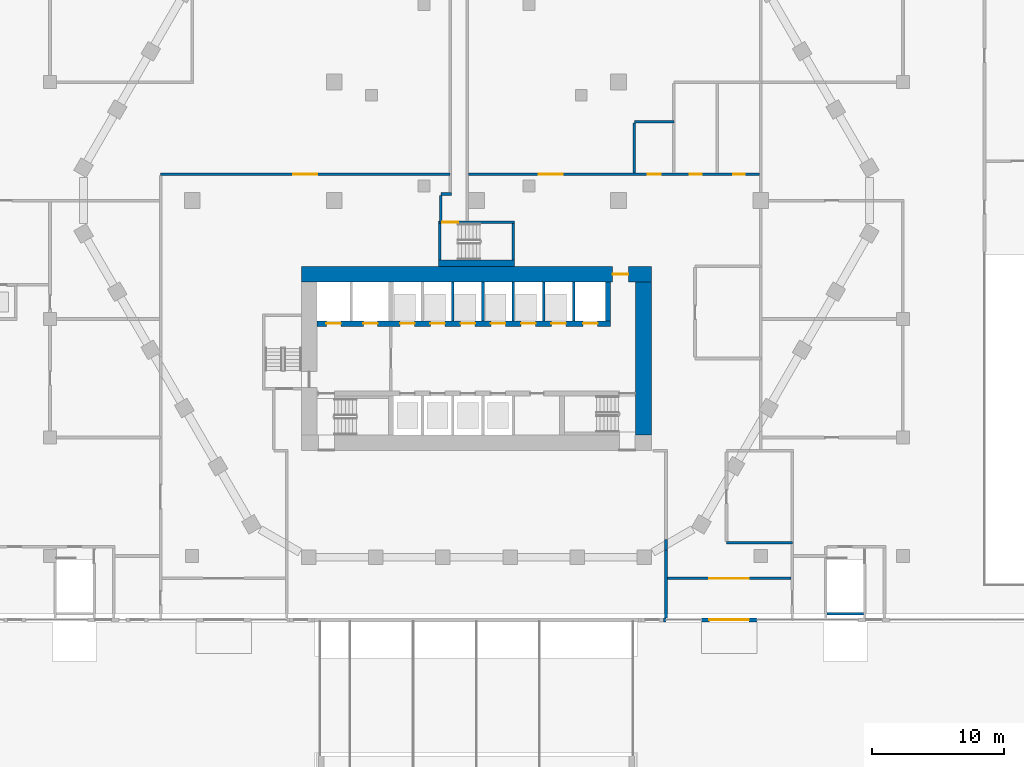
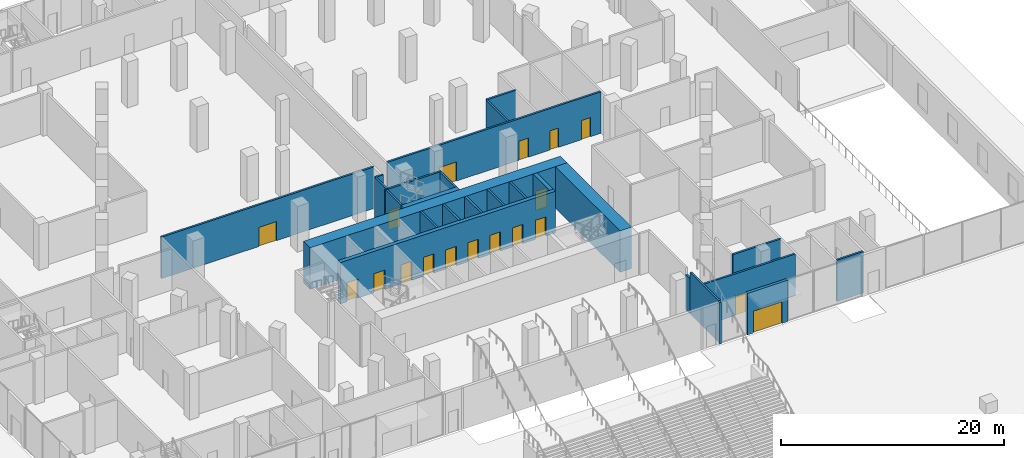
# One storey, part 23 of 57: 26 walls, 18 doors, 18 openings.
"""IFC4 building model written with IfcOpenShell, lengths in metres."""

from ifc_helpers import new_model, si_unit, direction, frame, frame_2d, origin, place, context, subcontext, project, spatial, rectangle, extrude, material, layer, layer_set, type_object, element, fill, save


model = new_model("IFC4")

# Units and contexts
model_context = context("Model", 3, precision=1e-05, world=origin(), true_north=direction((0.0, 1.0)))
body_context = subcontext(model_context, "Body", "Model", "MODEL_VIEW")
ifc_project = project(units=[si_unit("LENGTHUNIT", "METRE"), si_unit("AREAUNIT", "SQUARE_METRE"), si_unit("VOLUMEUNIT", "CUBIC_METRE"), si_unit("PLANEANGLEUNIT", "RADIAN"), si_unit("MASSUNIT", "GRAM", prefix="KILO")], contexts=[model_context])

# Site, building, storey
site_placement = place(None, origin())
site = spatial("IfcSite", under=ifc_project, at=site_placement, CompositionType="ELEMENT")
building_placement = place(site_placement, origin())
building = spatial("IfcBuilding", under=site, at=building_placement, Name="Beryl Residences", CompositionType="ELEMENT")
storey_placement = place(building_placement, origin())
storey = spatial("IfcBuildingStorey", under=building, at=storey_placement, Name="L00", CompositionType="ELEMENT", Elevation=0.0)

# Wall
ifc_material_1 = material(Name="Composite metal panel with mineral wool insulation")
ifc_layer_1 = layer(ifc_material_1, 0.300048828125)
ifc_layer_set_1 = layer_set([ifc_layer_1], Name="ES1 pale metal composite panel wall 300 mm")
wall_type_1 = type_object("IfcWallType", Name="ES1 pale metal composite panel wall 300 mm", PredefinedType="SOLIDWALL", material=ifc_layer_set_1)
wall_1_placement = place(storey_placement, frame((14.199951171875, -31.85009765625, 0.0), z_axis=(0.0, 0.0, 1.0), x_axis=(1.0, 0.0, 0.0)))
element("IfcWall", 1, at=wall_1_placement, inside=storey, type_object=wall_type_1, Name="ES1 external wall L00 S 20", PredefinedType="SOLIDWALL", context=body_context, shape_type="SweptSolid", body=[
    extrude(rectangle(XDim=0.199951171875, YDim=0.300048828125, at=frame_2d((0.10009765625, 0.0))), origin(), (0.0, 0.0, 1.0), 4.550048828125),
])

# Wall, opening, door
wall_2_placement = place(storey_placement, frame((17.10009765625, -31.85009765625, 0.0), z_axis=(0.0, 0.0, 1.0), x_axis=(1.0, 0.0, 0.0)))
wall_2 = element("IfcWall", 2, at=wall_2_placement, inside=storey, type_object=wall_type_1, Name="ES1 entrance wall L00 S", PredefinedType="SOLIDWALL", context=body_context, shape_type="SweptSolid", body=[
    extrude(rectangle(XDim=4.199951171875, YDim=0.300048828125, at=frame_2d((2.10009765625, 0.0))), origin(), (0.0, 0.0, 1.0), 4.550048828125),
])
opening_1_placement = place(wall_2_placement, frame((0.60009765625, 0.0, 0.0)))
opening_1 = element("IfcOpeningElement", 3, at=opening_1_placement, cuts=wall_2, Name="Opening ED1", PredefinedType="OPENING", context=body_context, shape_type="SweptSolid", body=[
    extrude(rectangle(XDim=3.0, YDim=2.39990234375, at=frame_2d((1.5, 1.199951171875))), frame((0.0, 0.159912109375, 0.0), z_axis=(0.0, -1.0, 0.0), x_axis=(1.0, 0.0, 0.0)), (0.0, 0.0, 1.0), 0.320068359375),
])
ifc_material_2 = material(Name="Aluminium and clear glass", Category="aluminium")
door_type_1 = type_object("IfcDoorType", Name="ED1 entrance sliding door 3000 x 2400 mm", OperationType="DOUBLE_DOOR_SLIDING", PredefinedType="DOOR", material=ifc_material_2)
door_1_placement = place(opening_1_placement, origin())
door_1 = element("IfcDoor", 4, at=door_1_placement, inside=storey, type_object=door_type_1, Name="ED1 entrance door L00 S", OperationType="DOUBLE_DOOR_SLIDING", OverallHeight=2.39990234375, OverallWidth=3.0, PredefinedType="DOOR", context=body_context, shape_type="SweptSolid", body=[
    extrude(rectangle(XDim=3.0, YDim=2.39990234375, at=frame_2d((1.5, 1.199951171875))), frame((0.0, 0.02490234375, 0.0), z_axis=(0.0, -1.0, 0.0), x_axis=(1.0, 0.0, 0.0)), (0.0, 0.0, 1.0), 0.050048828125),
])
fill(opening_1, door_1)

# Walls
ifc_material_3 = material(Name="Cement board with tiles")
ifc_layer_2 = layer(ifc_material_3, 0.199951171875)
ifc_layer_set_2 = layer_set([ifc_layer_2], Name="PT11-200 wet area wall 200 mm")
wall_type_2 = type_object("IfcWallType", Name="PT11-200 wet area wall 200 mm", PredefinedType="PARTITIONING", material=ifc_layer_set_2)
wall_3_placement = place(storey_placement, frame((12.0, 6.0, 0.0), z_axis=(0.0, 0.0, 1.0), x_axis=(1.0, 0.0, 0.0)))
element("IfcWall", 5, at=wall_3_placement, inside=storey, type_object=wall_type_2, Name="Wall PT11-200 L00 001", PredefinedType="PARTITIONING", context=body_context, shape_type="SweptSolid", body=[
    extrude(rectangle(XDim=3.0, YDim=0.199951171875, at=frame_2d((1.5, 0.0))), origin(), (0.0, 0.0, 1.0), 4.550048828125),
])
wall_4_placement = place(storey_placement, frame((12.0, 2.10009765625, 0.0), z_axis=(0.0, 0.0, 1.0), x_axis=(0.0, 1.0, 0.0)))
element("IfcWall", 6, at=wall_4_placement, inside=storey, type_object=wall_type_2, Name="Wall PT11-200 L00 006", PredefinedType="PARTITIONING", context=body_context, shape_type="SweptSolid", body=[
    extrude(rectangle(XDim=3.7998046875, YDim=0.199951171875, at=frame_2d((1.89990234375, 0.0))), origin(), (0.0, 0.0, 1.0), 4.550048828125),
])

# Wall, opening, door
ifc_material_4 = material(Name="Double stud gypsum board wall")
ifc_layer_3 = layer(ifc_material_4, 0.199951171875)
ifc_layer_set_3 = layer_set([ifc_layer_3], Name="PT4 corridor wall 200 mm double stud")
wall_type_3 = type_object("IfcWallType", Name="PT4 corridor wall 200 mm double stud", PredefinedType="PARTITIONING", material=ifc_layer_set_3)
wall_5_placement = place(storey_placement, frame((14.5, -28.699951171875, 0.0), z_axis=(0.0, 0.0, 1.0), x_axis=(1.0, 0.0, 0.0)))
wall_5 = element("IfcWall", 7, at=wall_5_placement, inside=storey, type_object=wall_type_3, Name="Wall PT4 L00 002", PredefinedType="PARTITIONING", context=body_context, shape_type="SweptSolid", body=[
    extrude(rectangle(XDim=9.39990234375, YDim=0.199951171875, at=frame_2d((4.699951171875, 0.0))), origin(), (0.0, 0.0, 1.0), 4.550048828125),
])
opening_2_placement = place(wall_5_placement, frame((3.199951171875, 0.0, 0.0)))
opening_2 = element("IfcOpeningElement", 8, at=opening_2_placement, cuts=wall_5, Name="Opening ED2-2", PredefinedType="OPENING", context=body_context, shape_type="SweptSolid", body=[
    extrude(rectangle(XDim=3.0, YDim=2.10009765625, at=frame_2d((1.5, 1.050048828125))), frame((0.0, 0.10986328125, 0.0), z_axis=(0.0, -1.0, 0.0), x_axis=(1.0, 0.0, 0.0)), (0.0, 0.0, 1.0), 0.219970703125),
])
ifc_material_5 = material(Name="Glazed doors in aluminium frame", Category="aluminium")
door_type_2 = type_object("IfcDoorType", Name="GLD1 glazed double door 3000 x 2100 mm", OperationType="DOUBLE_DOOR_SINGLE_SWING", PredefinedType="DOOR", material=ifc_material_5)
door_2_placement = place(opening_2_placement, origin())
door_2 = element("IfcDoor", 9, at=door_2_placement, inside=storey, type_object=door_type_2, Name="Door ED2-2 L00 001", OperationType="DOUBLE_DOOR_SINGLE_SWING", OverallHeight=2.10009765625, OverallWidth=3.0, PredefinedType="DOOR", context=body_context, shape_type="SweptSolid", body=[
    extrude(rectangle(XDim=3.0, YDim=2.10009765625, at=frame_2d((1.5, 1.050048828125))), frame((0.0, 0.02490234375, 0.0), z_axis=(0.0, -1.0, 0.0), x_axis=(1.0, 0.0, 0.0)), (0.0, 0.0, 1.0), 0.050048828125),
])
fill(opening_2, door_2)

wall_6_placement = place(storey_placement, frame((-24.0, 2.0, 0.0), z_axis=(0.0, 0.0, 1.0), x_axis=(1.0, 0.0, 0.0)))
wall_6 = element("IfcWall", 10, at=wall_6_placement, inside=storey, type_object=wall_type_3, Name="Wall PT4 L00 008", PredefinedType="PARTITIONING", context=body_context, shape_type="SweptSolid", body=[
    extrude(rectangle(XDim=22.0, YDim=0.199951171875, at=frame_2d((11.0, 0.0))), origin(), (0.0, 0.0, 1.0), 4.550048828125),
])
opening_3_placement = place(wall_6_placement, frame((10.09912109375, 0.0, 0.0)))
opening_3 = element("IfcOpeningElement", 11, at=opening_3_placement, cuts=wall_6, Name="Opening L00-11", PredefinedType="OPENING", context=body_context, shape_type="SweptSolid", body=[
    extrude(rectangle(XDim=1.800048828125, YDim=2.10009765625, at=frame_2d((0.89990234375, 1.050048828125))), frame((0.0, 0.10986328125, 0.0), z_axis=(0.0, -1.0, 0.0), x_axis=(1.0, 0.0, 0.0)), (0.0, 0.0, 1.0), 0.219970703125),
])
ifc_material_6 = material(Name="Timber door leaf", Category="wood")
door_type_3 = type_object("IfcDoorType", Name="D20 corridor door 1800 x 2100 mm", OperationType="DOUBLE_DOOR_SINGLE_SWING", PredefinedType="DOOR", material=ifc_material_6)
door_3_placement = place(opening_3_placement, origin())
door_3 = element("IfcDoor", 12, at=door_3_placement, inside=storey, type_object=door_type_3, Name="Door L00-11 L00 001", OperationType="DOUBLE_DOOR_SINGLE_SWING", OverallHeight=2.10009765625, OverallWidth=1.800048828125, PredefinedType="DOOR", context=body_context, shape_type="SweptSolid", body=[
    extrude(rectangle(XDim=1.800048828125, YDim=2.10009765625, at=frame_2d((0.89990234375, 1.050048828125))), frame((0.0, 0.02490234375, 0.0), z_axis=(0.0, -1.0, 0.0), x_axis=(1.0, 0.0, 0.0)), (0.0, 0.0, 1.0), 0.050048828125),
])
fill(opening_3, door_3)

# Wall, openings, doors
wall_7_placement = place(storey_placement, frame((-0.60009765625, 2.0, 0.0), z_axis=(0.0, 0.0, 1.0), x_axis=(1.0, 0.0, 0.0)))
wall_7 = element("IfcWall", 13, at=wall_7_placement, inside=storey, type_object=wall_type_3, Name="Wall PT4 L00 009", PredefinedType="PARTITIONING", context=body_context, shape_type="SweptSolid", body=[
    extrude(rectangle(XDim=22.10009765625, YDim=0.199951171875, at=frame_2d((11.050048828125, 0.0))), origin(), (0.0, 0.0, 1.0), 4.550048828125),
])
opening_4_placement = place(wall_7_placement, frame((13.60009765625, 0.0, 0.0)))
opening_4 = element("IfcOpeningElement", 14, at=opening_4_placement, cuts=wall_7, Name="Opening L00-07", PredefinedType="OPENING", context=body_context, shape_type="SweptSolid", body=[
    extrude(rectangle(XDim=1.0, YDim=2.10009765625, at=frame_2d((0.5, 1.050048828125))), frame((0.0, 0.10986328125, 0.0), z_axis=(0.0, -1.0, 0.0), x_axis=(1.0, 0.0, 0.0)), (0.0, 0.0, 1.0), 0.219970703125),
])
opening_5_placement = place(wall_7_placement, frame((16.800048828125, 0.0, 0.0)))
opening_5 = element("IfcOpeningElement", 15, at=opening_5_placement, cuts=wall_7, Name="Opening L00-08", PredefinedType="OPENING", context=body_context, shape_type="SweptSolid", body=[
    extrude(rectangle(XDim=0.89990234375, YDim=2.10009765625, at=frame_2d((0.449951171875, 1.050048828125))), frame((0.0, 0.10986328125, 0.0), z_axis=(0.0, -1.0, 0.0), x_axis=(1.0, 0.0, 0.0)), (0.0, 0.0, 1.0), 0.219970703125),
])
opening_6_placement = place(wall_7_placement, frame((20.10009765625, 0.0, 0.0)))
opening_6 = element("IfcOpeningElement", 16, at=opening_6_placement, cuts=wall_7, Name="Opening L00-09", PredefinedType="OPENING", context=body_context, shape_type="SweptSolid", body=[
    extrude(rectangle(XDim=0.89990234375, YDim=2.10009765625, at=frame_2d((0.449951171875, 1.050048828125))), frame((0.0, 0.10986328125, 0.0), z_axis=(0.0, -1.0, 0.0), x_axis=(1.0, 0.0, 0.0)), (0.0, 0.0, 1.0), 0.219970703125),
])
opening_7_placement = place(wall_7_placement, frame((5.35009765625, 0.0, 0.0)))
opening_7 = element("IfcOpeningElement", 17, at=opening_7_placement, cuts=wall_7, Name="Opening L00-10", PredefinedType="OPENING", context=body_context, shape_type="SweptSolid", body=[
    extrude(rectangle(XDim=1.800048828125, YDim=2.10009765625, at=frame_2d((0.89990234375, 1.050048828125))), frame((0.0, 0.10986328125, 0.0), z_axis=(0.0, -1.0, 0.0), x_axis=(1.0, 0.0, 0.0)), (0.0, 0.0, 1.0), 0.219970703125),
])
ifc_material_7 = material(Name="Timber door leaf", Category="wood")
door_type_4 = type_object("IfcDoorType", Name="D19 room door 1000 x 2100 mm", OperationType="SINGLE_SWING_LEFT", PredefinedType="DOOR", material=ifc_material_7)
door_4_placement = place(opening_4_placement, origin())
door_4 = element("IfcDoor", 18, at=door_4_placement, inside=storey, type_object=door_type_4, Name="Door L00-07 L00 001", OperationType="SINGLE_SWING_LEFT", OverallHeight=2.10009765625, OverallWidth=1.0, PredefinedType="DOOR", context=body_context, shape_type="SweptSolid", body=[
    extrude(rectangle(XDim=1.0, YDim=2.10009765625, at=frame_2d((0.5, 1.050048828125))), frame((0.0, 0.02490234375, 0.0), z_axis=(0.0, -1.0, 0.0), x_axis=(1.0, 0.0, 0.0)), (0.0, 0.0, 1.0), 0.050048828125),
])
fill(opening_4, door_4)
ifc_material_8 = material(Name="Timber door leaf", Category="wood")
door_type_5 = type_object("IfcDoorType", Name="D2 room door 900 x 2100 mm", OperationType="SINGLE_SWING_LEFT", PredefinedType="DOOR", material=ifc_material_8)
door_5_placement = place(opening_5_placement, origin())
door_5 = element("IfcDoor", 19, at=door_5_placement, inside=storey, type_object=door_type_5, Name="Door L00-08 L00 001", OperationType="SINGLE_SWING_RIGHT", OverallHeight=2.10009765625, OverallWidth=0.89990234375, PredefinedType="DOOR", context=body_context, shape_type="SweptSolid", body=[
    extrude(rectangle(XDim=0.89990234375, YDim=2.10009765625, at=frame_2d((0.449951171875, 1.050048828125))), frame((0.0, 0.02490234375, 0.0), z_axis=(0.0, -1.0, 0.0), x_axis=(1.0, 0.0, 0.0)), (0.0, 0.0, 1.0), 0.050048828125),
])
fill(opening_5, door_5)
door_6_placement = place(opening_6_placement, origin())
door_6 = element("IfcDoor", 20, at=door_6_placement, inside=storey, type_object=door_type_5, Name="Door L00-09 L00 001", OperationType="SINGLE_SWING_LEFT", OverallHeight=2.10009765625, OverallWidth=0.89990234375, PredefinedType="DOOR", context=body_context, shape_type="SweptSolid", body=[
    extrude(rectangle(XDim=0.89990234375, YDim=2.10009765625, at=frame_2d((0.449951171875, 1.050048828125))), frame((0.0, 0.02490234375, 0.0), z_axis=(0.0, -1.0, 0.0), x_axis=(1.0, 0.0, 0.0)), (0.0, 0.0, 1.0), 0.050048828125),
])
fill(opening_6, door_6)
door_7_placement = place(opening_7_placement, origin())
door_7 = element("IfcDoor", 21, at=door_7_placement, inside=storey, type_object=door_type_3, Name="Door L00-10 L00 001", OperationType="DOUBLE_DOOR_SINGLE_SWING", OverallHeight=2.10009765625, OverallWidth=1.800048828125, PredefinedType="DOOR", context=body_context, shape_type="SweptSolid", body=[
    extrude(rectangle(XDim=1.800048828125, YDim=2.10009765625, at=frame_2d((0.89990234375, 1.050048828125))), frame((0.0, 0.02490234375, 0.0), z_axis=(0.0, -1.0, 0.0), x_axis=(1.0, 0.0, 0.0)), (0.0, 0.0, 1.0), 0.050048828125),
])
fill(opening_7, door_7)

# Wall, opening, door
ifc_material_9 = material(Name="Concrete C40/50", Category="concrete")
ifc_layer_4 = layer(ifc_material_9, 0.199951171875)
ifc_layer_set_4 = layer_set([ifc_layer_4], Name="PT5 stair enclosure wall 200 mm reinforced concrete C40/50")
wall_type_4 = type_object("IfcWallType", Name="PT5 stair enclosure wall 200 mm reinforced concrete C40/50", PredefinedType="SOLIDWALL", material=ifc_layer_set_4)
wall_8_placement = place(storey_placement, frame((-2.89990234375, -1.64990234375, 0.0), z_axis=(0.0, 0.0, 1.0), x_axis=(1.0, 0.0, 0.0)))
wall_8 = element("IfcWall", 22, at=wall_8_placement, inside=storey, type_object=wall_type_4, Name="Wall PT5 L00 001", PredefinedType="SOLIDWALL", context=body_context, shape_type="SweptSolid", body=[
    extrude(rectangle(XDim=5.7998046875, YDim=0.199951171875, at=frame_2d((2.89990234375, 0.0))), origin(), (0.0, 0.0, 1.0), 4.550048828125),
])
opening_8_placement = place(wall_8_placement, frame((0.300048828125, 0.0, 0.0)))
opening_8 = element("IfcOpeningElement", 23, at=opening_8_placement, cuts=wall_8, Name="Opening DS04", PredefinedType="OPENING", context=body_context, shape_type="SweptSolid", body=[
    extrude(rectangle(XDim=1.199951171875, YDim=2.10009765625, at=frame_2d((0.60009765625, 1.050048828125))), frame((0.0, 0.10986328125, 0.0), z_axis=(0.0, -1.0, 0.0), x_axis=(1.0, 0.0, 0.0)), (0.0, 0.0, 1.0), 0.219970703125),
])
ifc_material_10 = material(Name="Steel door leaf in steel frame", Category="steel")
door_type_6 = type_object("IfcDoorType", Name="D4 stair door 1200 x 2100 mm", OperationType="SINGLE_SWING_LEFT", PredefinedType="DOOR", material=ifc_material_10)
door_8_placement = place(opening_8_placement, origin())
door_8 = element("IfcDoor", 24, at=door_8_placement, inside=storey, type_object=door_type_6, Name="Door DS04 L00 001", OperationType="SINGLE_SWING_LEFT", OverallHeight=2.10009765625, OverallWidth=1.199951171875, PredefinedType="DOOR", context=body_context, shape_type="SweptSolid", body=[
    extrude(rectangle(XDim=1.199951171875, YDim=2.10009765625, at=frame_2d((0.60009765625, 1.050048828125))), frame((0.0, 0.02490234375, 0.0), z_axis=(0.0, -1.0, 0.0), x_axis=(1.0, 0.0, 0.0)), (0.0, 0.0, 1.0), 0.050048828125),
])
fill(opening_8, door_8)

# Walls
for number, where, z_axis, x_axis, name in (
    (25, (-2.800048828125, -4.5, 0.0), (0.0, 0.0, 1.0), (0.0, 1.0, 0.0), "Wall PT5 L00 002"),
    (26, (2.800048828125, -4.5, 0.0), (0.0, 0.0, 1.0), (0.0, 1.0, 0.0), "Wall PT5 L00 003"),
):
    element("IfcWall", number, at=place(storey_placement, frame(where, z_axis=z_axis, x_axis=x_axis)), inside=storey, type_object=wall_type_4, Name=name, PredefinedType="SOLIDWALL", context=body_context, shape_type="SweptSolid", body=[
        extrude(rectangle(XDim=2.75, YDim=0.199951171875, at=frame_2d((1.375, 0.0))), origin(), (0.0, 0.0, 1.0), 4.550048828125),
    ])
wall_9_placement = place(storey_placement, frame((-2.699951171875, 0.5, 0.0), z_axis=(0.0, 0.0, 1.0), x_axis=(1.0, 0.0, 0.0)))
element("IfcWall", 27, at=wall_9_placement, inside=storey, type_object=wall_type_4, Name="Wall PT5 L00 013", PredefinedType="SOLIDWALL", context=body_context, shape_type="SweptSolid", body=[
    extrude(rectangle(XDim=0.800048828125, YDim=0.199951171875, at=frame_2d((0.39990234375, 0.0))), origin(), (0.0, 0.0, 1.0), 4.550048828125),
])
wall_10_placement = place(storey_placement, frame((-2.699951171875, -1.6298828125, 0.0), z_axis=(0.0, 0.0, 1.0), x_axis=(0.0, 1.0, 0.0)))
element("IfcWall", 28, at=wall_10_placement, inside=storey, type_object=wall_type_4, Name="Wall PT5 L00 044", PredefinedType="SOLIDWALL", context=body_context, shape_type="SweptSolid", body=[
    extrude(rectangle(XDim=2.02978515625, YDim=0.199951171875, at=frame_2d((1.014892578125, 0.0))), origin(), (0.0, 0.0, 1.0), 4.550048828125),
])
wall_11_placement = place(storey_placement, frame((14.39990234375, -31.699951171875, 0.0), z_axis=(0.0, 0.0, 1.0), x_axis=(0.0, 1.0, 0.0)))
element("IfcWall", 29, at=wall_11_placement, inside=storey, type_object=wall_type_4, Name="Wall PT5 L00 051", PredefinedType="SOLIDWALL", context=body_context, shape_type="SweptSolid", body=[
    extrude(rectangle(XDim=5.141845703125, YDim=0.199951171875, at=frame_2d((2.57080078125, 0.0))), origin(), (0.0, 0.0, 1.0), 4.550048828125),
])
wall_12_placement = place(storey_placement, frame((14.39990234375, -26.55810546875, 0.0), z_axis=(0.0, 0.0, 1.0), x_axis=(0.0, 1.0, 0.0)))
element("IfcWall", 30, at=wall_12_placement, inside=storey, type_object=wall_type_4, Name="Wall PT5 L00 052", PredefinedType="SOLIDWALL", context=body_context, shape_type="SweptSolid", body=[
    extrude(rectangle(XDim=0.80908203125, YDim=0.199951171875, at=frame_2d((0.404541015625, 0.0))), origin(), (0.0, 0.0, 1.0), 3.820068359375),
])
wall_13_placement = place(storey_placement, frame((26.64990234375, -31.39990234375, 0.0), z_axis=(0.0, 0.0, 1.0), x_axis=(1.0, 0.0, 0.0)))
element("IfcWall", 31, at=wall_13_placement, inside=storey, type_object=wall_type_4, Name="Wall PT5 L00 074", PredefinedType="SOLIDWALL", context=body_context, shape_type="SweptSolid", body=[
    extrude(rectangle(XDim=2.75, YDim=0.199951171875, at=frame_2d((1.375, 0.0))), origin(), (0.0, 0.0, 1.0), 4.550048828125),
])
ifc_material_11 = material(Name="Concrete C40/50", Category="concrete")
ifc_layer_5 = layer(ifc_material_11, 0.5)
ifc_layer_set_5 = layer_set([ifc_layer_5], Name="PT5-500 stair enclosure wall 500 mm")
wall_type_5 = type_object("IfcWallType", Name="PT5-500 stair enclosure wall 500 mm", PredefinedType="SOLIDWALL", material=ifc_layer_set_5)
wall_14_placement = place(storey_placement, frame((-2.89990234375, -4.75, 0.0), z_axis=(0.0, 0.0, 1.0), x_axis=(1.0, 0.0, 0.0)))
element("IfcWall", 32, at=wall_14_placement, inside=storey, type_object=wall_type_5, Name="Wall PT5-500 L00 001", PredefinedType="SOLIDWALL", context=body_context, shape_type="SweptSolid", body=[
    extrude(rectangle(XDim=5.7998046875, YDim=0.5, at=frame_2d((2.89990234375, 0.0))), origin(), (0.0, 0.0, 1.0), 4.550048828125),
])
ifc_material_12 = material(Name="Concrete C40/50", Category="concrete")
ifc_layer_6 = layer(ifc_material_12, 0.199951171875)
ifc_layer_set_6 = layer_set([ifc_layer_6], Name="PT6 lift shaft wall 200 mm reinforced concrete C40/50")
wall_type_6 = type_object("IfcWallType", Name="PT6 lift shaft wall 200 mm reinforced concrete C40/50", PredefinedType="SOLIDWALL", material=ifc_layer_set_6)
for number, where, z_axis, x_axis, name in (
    (33, (-1.800048828125, -9.14990234375, 0.0), (0.0, 0.0, 1.0), (0.0, 1.0, 0.0), "Lift shaft wall 10"),
    (34, (0.5, -9.14990234375, 0.0), (0.0, 0.0, 1.0), (0.0, 1.0, 0.0), "Lift shaft wall 12"),
    (35, (2.800048828125, -9.14990234375, 0.0), (0.0, 0.0, 1.0), (0.0, 1.0, 0.0), "Lift shaft wall 14"),
    (36, (5.10009765625, -9.14990234375, 0.0), (0.0, 0.0, 1.0), (0.0, 1.0, 0.0), "Lift shaft wall 15"),
    (37, (7.39990234375, -9.14990234375, 0.0), (0.0, 0.0, 1.0), (0.0, 1.0, 0.0), "Lift shaft wall 17"),
):
    element("IfcWall", number, at=place(storey_placement, frame(where, z_axis=z_axis, x_axis=x_axis)), inside=storey, type_object=wall_type_6, Name=name, PredefinedType="SOLIDWALL", context=body_context, shape_type="SweptSolid", body=[
        extrude(rectangle(XDim=2.949951171875, YDim=0.199951171875, at=frame_2d((1.47509765625, 0.0))), origin(), (0.0, 0.0, 1.0), 4.550048828125),
    ])
ifc_material_13 = material(Name="Concrete masonry", Category="masonry")
ifc_layer_7 = layer(ifc_material_13, 0.199951171875)
ifc_layer_set_7 = layer_set([ifc_layer_7], Name="PT8-200 service room wall 200 mm")
wall_type_7 = type_object("IfcWallType", Name="PT8-200 service room wall 200 mm", PredefinedType="PARTITIONING", material=ifc_layer_set_7)
wall_15_placement = place(storey_placement, frame((19.0, -26.0, 0.0), z_axis=(0.0, 0.0, 1.0), x_axis=(1.0, 0.0, 0.0)))
element("IfcWall", 38, at=wall_15_placement, inside=storey, type_object=wall_type_7, Name="Wall PT8-200 L00 002", PredefinedType="PARTITIONING", context=body_context, shape_type="SweptSolid", body=[
    extrude(rectangle(XDim=5.0, YDim=0.199951171875, at=frame_2d((2.5, 0.0))), origin(), (0.0, 0.0, 1.0), 4.550048828125),
])

# Wall, opening, door
ifc_material_14 = material(Name="Concrete C80/95", Category="concrete")
ifc_layer_8 = layer(ifc_material_14, 1.199951171875)
ifc_layer_set_8 = layer_set([ifc_layer_8], Name="SW1 core outer wall 1200 mm C80/95")
wall_type_8 = type_object("IfcWallType", Name="SW1 core outer wall 1200 mm C80/95", PredefinedType="SHEAR", material=ifc_layer_set_8)
wall_16_placement = place(storey_placement, frame((-13.300048828125, -5.60009765625, 0.0), z_axis=(0.0, 0.0, 1.0), x_axis=(1.0, 0.0, 0.0)))
wall_16 = element("IfcWall", 39, at=wall_16_placement, inside=storey, type_object=wall_type_8, Name="Core wall N L00", PredefinedType="SHEAR", context=body_context, shape_type="SweptSolid", body=[
    extrude(rectangle(XDim=26.60009765625, YDim=1.199951171875, at=frame_2d((13.300048828125, 0.0))), origin(), (0.0, 0.0, 1.0), 4.550048828125),
])
opening_9_placement = place(wall_16_placement, frame((23.64990234375, 0.0, 0.0)))
opening_9 = element("IfcOpeningElement", 40, at=opening_9_placement, cuts=wall_16, Name="Opening FD-NORTH", PredefinedType="OPENING", context=body_context, shape_type="SweptSolid", body=[
    extrude(rectangle(XDim=1.199951171875, YDim=2.10009765625, at=frame_2d((0.60009765625, 1.050048828125))), frame((0.0, 0.60986328125, 0.0), z_axis=(0.0, -1.0, 0.0), x_axis=(1.0, 0.0, 0.0)), (0.0, 0.0, 1.0), 1.219970703125),
])
ifc_material_15 = material(Name="Steel door leaf in steel frame", Category="steel")
door_type_7 = type_object("IfcDoorType", Name="D22 lobby door 1200 x 2100 mm", OperationType="DOUBLE_DOOR_SINGLE_SWING", PredefinedType="DOOR", material=ifc_material_15)
door_9_placement = place(opening_9_placement, origin())
door_9 = element("IfcDoor", 41, at=door_9_placement, inside=storey, type_object=door_type_7, Name="Door FD-NORTH L00 001", OperationType="DOUBLE_DOOR_SINGLE_SWING", OverallHeight=2.10009765625, OverallWidth=1.199951171875, PredefinedType="DOOR", context=body_context, shape_type="SweptSolid", body=[
    extrude(rectangle(XDim=1.199951171875, YDim=2.10009765625, at=frame_2d((0.60009765625, 1.050048828125))), frame((0.0, 0.02490234375, 0.0), z_axis=(0.0, -1.0, 0.0), x_axis=(1.0, 0.0, 0.0)), (0.0, 0.0, 1.0), 0.050048828125),
])
fill(opening_9, door_9)

# Wall
wall_17_placement = place(storey_placement, frame((12.699951171875, -17.800048828125, 0.0), z_axis=(0.0, 0.0, 1.0), x_axis=(0.0, 1.0, 0.0)))
element("IfcWall", 42, at=wall_17_placement, inside=storey, type_object=wall_type_8, Name="Core wall E L00", PredefinedType="SHEAR", context=body_context, shape_type="SweptSolid", body=[
    extrude(rectangle(XDim=11.60009765625, YDim=1.199951171875, at=frame_2d((5.800048828125, 0.0))), origin(), (0.0, 0.0, 1.0), 4.550048828125),
])

# Wall, openings, doors
ifc_material_16 = material(Name="Concrete C80/95", Category="concrete")
ifc_layer_9 = layer(ifc_material_16, 0.39990234375)
ifc_layer_set_9 = layer_set([ifc_layer_9], Name="SW6 core internal wall 400 mm C80/95")
wall_type_9 = type_object("IfcWallType", Name="SW6 core internal wall 400 mm C80/95", PredefinedType="SHEAR", material=ifc_layer_set_9)
wall_18_placement = place(storey_placement, frame((-12.10009765625, -9.35009765625, 0.0), z_axis=(0.0, 0.0, 1.0), x_axis=(1.0, 0.0, 0.0)))
wall_18 = element("IfcWall", 43, at=wall_18_placement, inside=storey, type_object=wall_type_9, Name="Core wall SP2 L00", PredefinedType="SHEAR", context=body_context, shape_type="SweptSolid", body=[
    extrude(rectangle(XDim=22.300048828125, YDim=0.39990234375, at=frame_2d((11.14990234375, 0.0))), origin(), (0.0, 0.0, 1.0), 4.550048828125),
])
opening_10_placement = place(wall_18_placement, frame((0.699951171875, 0.0, 0.0)))
opening_10 = element("IfcOpeningElement", 44, at=opening_10_placement, cuts=wall_18, Name="Opening LD-FF1", PredefinedType="OPENING", context=body_context, shape_type="SweptSolid", body=[
    extrude(rectangle(XDim=1.10009765625, YDim=2.10009765625, at=frame_2d((0.550048828125, 1.050048828125))), frame((0.0, 0.2099609375, 0.0), z_axis=(0.0, -1.0, 0.0), x_axis=(1.0, 0.0, 0.0)), (0.0, 0.0, 1.0), 0.419921875),
])
opening_11_placement = place(wall_18_placement, frame((3.5, 0.0, 0.0)))
opening_11 = element("IfcOpeningElement", 45, at=opening_11_placement, cuts=wall_18, Name="Opening LD-FF2", PredefinedType="OPENING", context=body_context, shape_type="SweptSolid", body=[
    extrude(rectangle(XDim=1.10009765625, YDim=2.10009765625, at=frame_2d((0.550048828125, 1.050048828125))), frame((0.0, 0.2099609375, 0.0), z_axis=(0.0, -1.0, 0.0), x_axis=(1.0, 0.0, 0.0)), (0.0, 0.0, 1.0), 0.419921875),
])
opening_12_placement = place(wall_18_placement, frame((6.300048828125, 0.0, 0.0)))
opening_12 = element("IfcOpeningElement", 46, at=opening_12_placement, cuts=wall_18, Name="Opening LD-LR1", PredefinedType="OPENING", context=body_context, shape_type="SweptSolid", body=[
    extrude(rectangle(XDim=1.10009765625, YDim=2.10009765625, at=frame_2d((0.550048828125, 1.050048828125))), frame((0.0, 0.2099609375, 0.0), z_axis=(0.0, -1.0, 0.0), x_axis=(1.0, 0.0, 0.0)), (0.0, 0.0, 1.0), 0.419921875),
])
opening_13_placement = place(wall_18_placement, frame((8.60009765625, 0.0, 0.0)))
opening_13 = element("IfcOpeningElement", 47, at=opening_13_placement, cuts=wall_18, Name="Opening LD-LR2", PredefinedType="OPENING", context=body_context, shape_type="SweptSolid", body=[
    extrude(rectangle(XDim=1.10009765625, YDim=2.10009765625, at=frame_2d((0.550048828125, 1.050048828125))), frame((0.0, 0.2099609375, 0.0), z_axis=(0.0, -1.0, 0.0), x_axis=(1.0, 0.0, 0.0)), (0.0, 0.0, 1.0), 0.419921875),
])
opening_14_placement = place(wall_18_placement, frame((10.89990234375, 0.0, 0.0)))
opening_14 = element("IfcOpeningElement", 48, at=opening_14_placement, cuts=wall_18, Name="Opening LD-LR3", PredefinedType="OPENING", context=body_context, shape_type="SweptSolid", body=[
    extrude(rectangle(XDim=1.10009765625, YDim=2.10009765625, at=frame_2d((0.550048828125, 1.050048828125))), frame((0.0, 0.2099609375, 0.0), z_axis=(0.0, -1.0, 0.0), x_axis=(1.0, 0.0, 0.0)), (0.0, 0.0, 1.0), 0.419921875),
])
opening_15_placement = place(wall_18_placement, frame((13.199951171875, 0.0, 0.0)))
opening_15 = element("IfcOpeningElement", 49, at=opening_15_placement, cuts=wall_18, Name="Opening LD-LR4", PredefinedType="OPENING", context=body_context, shape_type="SweptSolid", body=[
    extrude(rectangle(XDim=1.10009765625, YDim=2.10009765625, at=frame_2d((0.550048828125, 1.050048828125))), frame((0.0, 0.2099609375, 0.0), z_axis=(0.0, -1.0, 0.0), x_axis=(1.0, 0.0, 0.0)), (0.0, 0.0, 1.0), 0.419921875),
])
opening_16_placement = place(wall_18_placement, frame((15.5, 0.0, 0.0)))
opening_16 = element("IfcOpeningElement", 50, at=opening_16_placement, cuts=wall_18, Name="Opening LD-LR5", PredefinedType="OPENING", context=body_context, shape_type="SweptSolid", body=[
    extrude(rectangle(XDim=1.10009765625, YDim=2.10009765625, at=frame_2d((0.550048828125, 1.050048828125))), frame((0.0, 0.2099609375, 0.0), z_axis=(0.0, -1.0, 0.0), x_axis=(1.0, 0.0, 0.0)), (0.0, 0.0, 1.0), 0.419921875),
])
opening_17_placement = place(wall_18_placement, frame((17.800048828125, 0.0, 0.0)))
opening_17 = element("IfcOpeningElement", 51, at=opening_17_placement, cuts=wall_18, Name="Opening LD-LR6", PredefinedType="OPENING", context=body_context, shape_type="SweptSolid", body=[
    extrude(rectangle(XDim=1.10009765625, YDim=2.10009765625, at=frame_2d((0.550048828125, 1.050048828125))), frame((0.0, 0.2099609375, 0.0), z_axis=(0.0, -1.0, 0.0), x_axis=(1.0, 0.0, 0.0)), (0.0, 0.0, 1.0), 0.419921875),
])
opening_18_placement = place(wall_18_placement, frame((20.199951171875, 0.0, 0.0)))
opening_18 = element("IfcOpeningElement", 52, at=opening_18_placement, cuts=wall_18, Name="Opening LD-SL1", PredefinedType="OPENING", context=body_context, shape_type="SweptSolid", body=[
    extrude(rectangle(XDim=1.10009765625, YDim=2.10009765625, at=frame_2d((0.550048828125, 1.050048828125))), frame((0.0, 0.2099609375, 0.0), z_axis=(0.0, -1.0, 0.0), x_axis=(1.0, 0.0, 0.0)), (0.0, 0.0, 1.0), 0.419921875),
])
ifc_material_17 = material(Name="Stainless steel sliding door", Category="steel")
door_type_8 = type_object("IfcDoorType", Name="LD1 lift landing door 1100 x 2100 mm", OperationType="DOUBLE_DOOR_SLIDING", PredefinedType="DOOR", material=ifc_material_17)
door_10_placement = place(opening_10_placement, origin())
door_10 = element("IfcDoor", 53, at=door_10_placement, inside=storey, type_object=door_type_8, Name="Lift landing door FF1", OperationType="DOUBLE_DOOR_SLIDING", OverallHeight=2.10009765625, OverallWidth=1.10009765625, PredefinedType="DOOR", context=body_context, shape_type="SweptSolid", body=[
    extrude(rectangle(XDim=1.10009765625, YDim=2.10009765625, at=frame_2d((0.550048828125, 1.050048828125))), frame((0.0, 0.02490234375, 0.0), z_axis=(0.0, -1.0, 0.0), x_axis=(1.0, 0.0, 0.0)), (0.0, 0.0, 1.0), 0.050048828125),
])
fill(opening_10, door_10)
door_11_placement = place(opening_11_placement, origin())
door_11 = element("IfcDoor", 54, at=door_11_placement, inside=storey, type_object=door_type_8, Name="Lift landing door FF2", OperationType="DOUBLE_DOOR_SLIDING", OverallHeight=2.10009765625, OverallWidth=1.10009765625, PredefinedType="DOOR", context=body_context, shape_type="SweptSolid", body=[
    extrude(rectangle(XDim=1.10009765625, YDim=2.10009765625, at=frame_2d((0.550048828125, 1.050048828125))), frame((0.0, 0.02490234375, 0.0), z_axis=(0.0, -1.0, 0.0), x_axis=(1.0, 0.0, 0.0)), (0.0, 0.0, 1.0), 0.050048828125),
])
fill(opening_11, door_11)
door_12_placement = place(opening_12_placement, origin())
door_12 = element("IfcDoor", 55, at=door_12_placement, inside=storey, type_object=door_type_8, Name="Lift landing door LR1", OperationType="DOUBLE_DOOR_SLIDING", OverallHeight=2.10009765625, OverallWidth=1.10009765625, PredefinedType="DOOR", context=body_context, shape_type="SweptSolid", body=[
    extrude(rectangle(XDim=1.10009765625, YDim=2.10009765625, at=frame_2d((0.550048828125, 1.050048828125))), frame((0.0, 0.02490234375, 0.0), z_axis=(0.0, -1.0, 0.0), x_axis=(1.0, 0.0, 0.0)), (0.0, 0.0, 1.0), 0.050048828125),
])
fill(opening_12, door_12)
door_13_placement = place(opening_13_placement, origin())
door_13 = element("IfcDoor", 56, at=door_13_placement, inside=storey, type_object=door_type_8, Name="Lift landing door LR2", OperationType="DOUBLE_DOOR_SLIDING", OverallHeight=2.10009765625, OverallWidth=1.10009765625, PredefinedType="DOOR", context=body_context, shape_type="SweptSolid", body=[
    extrude(rectangle(XDim=1.10009765625, YDim=2.10009765625, at=frame_2d((0.550048828125, 1.050048828125))), frame((0.0, 0.02490234375, 0.0), z_axis=(0.0, -1.0, 0.0), x_axis=(1.0, 0.0, 0.0)), (0.0, 0.0, 1.0), 0.050048828125),
])
fill(opening_13, door_13)
door_14_placement = place(opening_14_placement, origin())
door_14 = element("IfcDoor", 57, at=door_14_placement, inside=storey, type_object=door_type_8, Name="Lift landing door LR3", OperationType="DOUBLE_DOOR_SLIDING", OverallHeight=2.10009765625, OverallWidth=1.10009765625, PredefinedType="DOOR", context=body_context, shape_type="SweptSolid", body=[
    extrude(rectangle(XDim=1.10009765625, YDim=2.10009765625, at=frame_2d((0.550048828125, 1.050048828125))), frame((0.0, 0.02490234375, 0.0), z_axis=(0.0, -1.0, 0.0), x_axis=(1.0, 0.0, 0.0)), (0.0, 0.0, 1.0), 0.050048828125),
])
fill(opening_14, door_14)
door_15_placement = place(opening_15_placement, origin())
door_15 = element("IfcDoor", 58, at=door_15_placement, inside=storey, type_object=door_type_8, Name="Lift landing door LR4", OperationType="DOUBLE_DOOR_SLIDING", OverallHeight=2.10009765625, OverallWidth=1.10009765625, PredefinedType="DOOR", context=body_context, shape_type="SweptSolid", body=[
    extrude(rectangle(XDim=1.10009765625, YDim=2.10009765625, at=frame_2d((0.550048828125, 1.050048828125))), frame((0.0, 0.02490234375, 0.0), z_axis=(0.0, -1.0, 0.0), x_axis=(1.0, 0.0, 0.0)), (0.0, 0.0, 1.0), 0.050048828125),
])
fill(opening_15, door_15)
door_16_placement = place(opening_16_placement, origin())
door_16 = element("IfcDoor", 59, at=door_16_placement, inside=storey, type_object=door_type_8, Name="Lift landing door LR5", OperationType="DOUBLE_DOOR_SLIDING", OverallHeight=2.10009765625, OverallWidth=1.10009765625, PredefinedType="DOOR", context=body_context, shape_type="SweptSolid", body=[
    extrude(rectangle(XDim=1.10009765625, YDim=2.10009765625, at=frame_2d((0.550048828125, 1.050048828125))), frame((0.0, 0.02490234375, 0.0), z_axis=(0.0, -1.0, 0.0), x_axis=(1.0, 0.0, 0.0)), (0.0, 0.0, 1.0), 0.050048828125),
])
fill(opening_16, door_16)
door_17_placement = place(opening_17_placement, origin())
door_17 = element("IfcDoor", 60, at=door_17_placement, inside=storey, type_object=door_type_8, Name="Lift landing door LR6", OperationType="DOUBLE_DOOR_SLIDING", OverallHeight=2.10009765625, OverallWidth=1.10009765625, PredefinedType="DOOR", context=body_context, shape_type="SweptSolid", body=[
    extrude(rectangle(XDim=1.10009765625, YDim=2.10009765625, at=frame_2d((0.550048828125, 1.050048828125))), frame((0.0, 0.02490234375, 0.0), z_axis=(0.0, -1.0, 0.0), x_axis=(1.0, 0.0, 0.0)), (0.0, 0.0, 1.0), 0.050048828125),
])
fill(opening_17, door_17)
door_18_placement = place(opening_18_placement, origin())
door_18 = element("IfcDoor", 61, at=door_18_placement, inside=storey, type_object=door_type_8, Name="Lift landing door SL1", OperationType="DOUBLE_DOOR_SLIDING", OverallHeight=2.10009765625, OverallWidth=1.10009765625, PredefinedType="DOOR", context=body_context, shape_type="SweptSolid", body=[
    extrude(rectangle(XDim=1.10009765625, YDim=2.10009765625, at=frame_2d((0.550048828125, 1.050048828125))), frame((0.0, 0.02490234375, 0.0), z_axis=(0.0, -1.0, 0.0), x_axis=(1.0, 0.0, 0.0)), (0.0, 0.0, 1.0), 0.050048828125),
])
fill(opening_18, door_18)

# Wall
wall_19_placement = place(storey_placement, frame((10.0, -9.14990234375, 0.0), z_axis=(0.0, 0.0, 1.0), x_axis=(0.0, 1.0, 0.0)))
element("IfcWall", 62, at=wall_19_placement, inside=storey, type_object=wall_type_9, Name="Core wall XN2 L00", PredefinedType="SHEAR", context=body_context, shape_type="SweptSolid", body=[
    extrude(rectangle(XDim=2.949951171875, YDim=0.39990234375, at=frame_2d((1.47509765625, 0.0))), origin(), (0.0, 0.0, 1.0), 4.550048828125),
])

save(model, "model.ifc")
